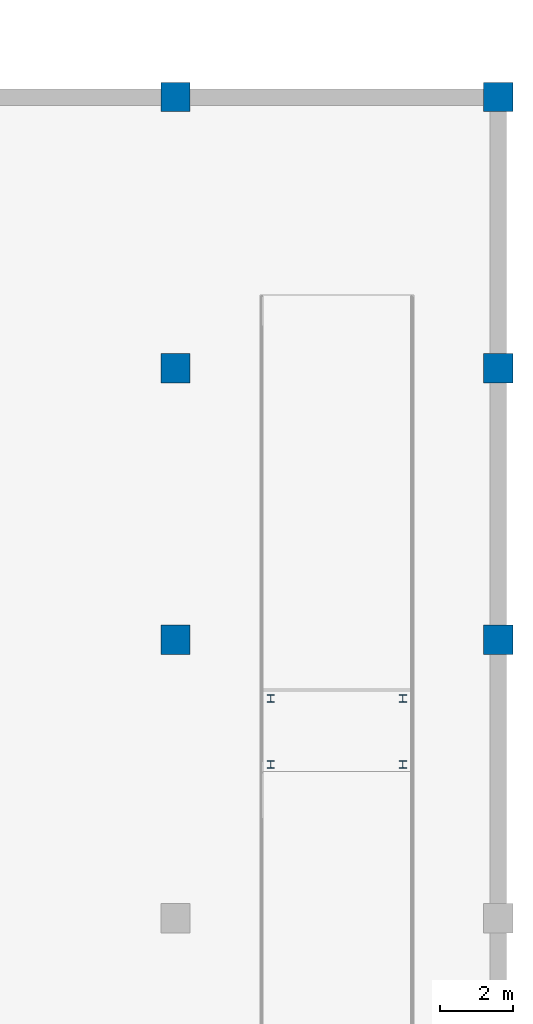
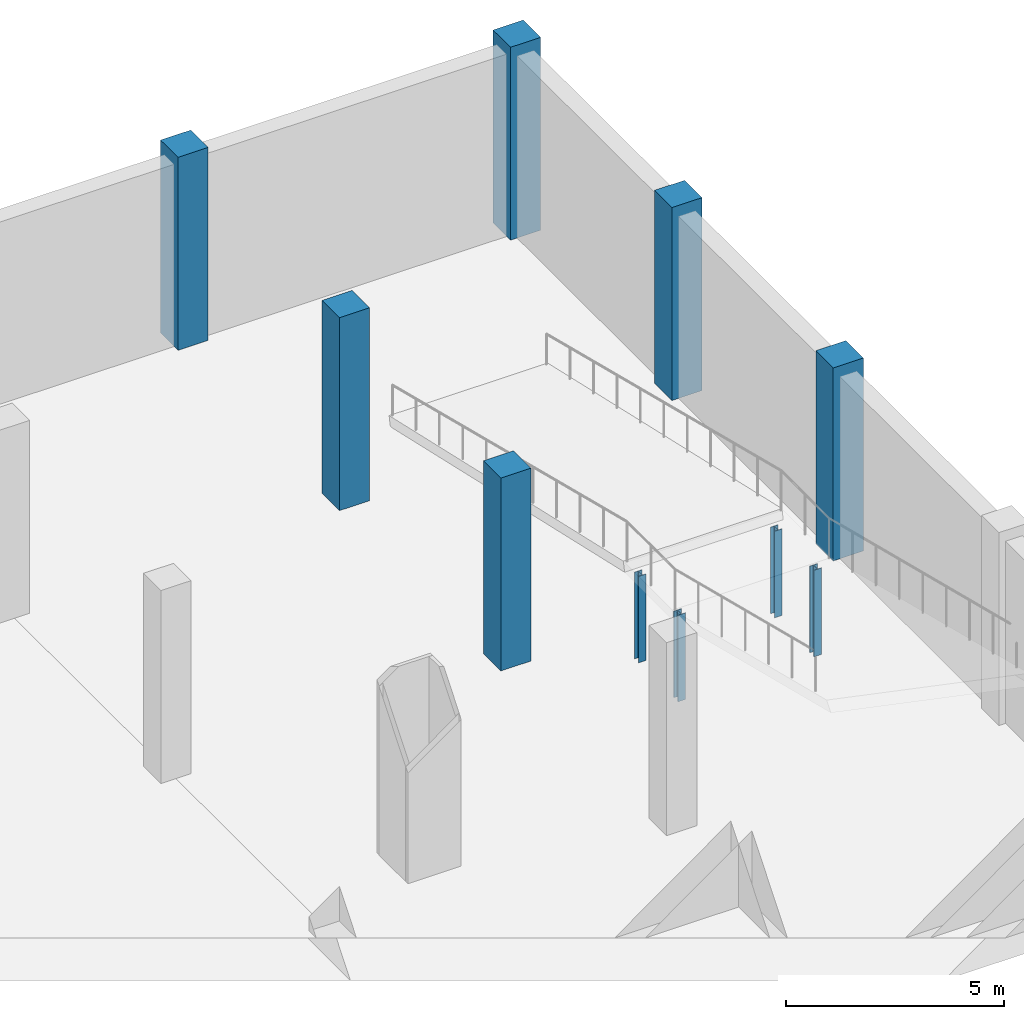
# One storey, part 8 of 20: 10 columns.
"""IFC4 building model written with IfcOpenShell, lengths in metres."""

from ifc_helpers import new_model, si_unit, direction, frame, origin, origin_2d, place, context, subcontext, project, spatial, rectangle, i_section, extrude, material, material_profile, profile_set, type_object, element, save


model = new_model("IFC4")

# Units and contexts
model_context = context("Model", 3, precision=1e-05, world=origin(), true_north=direction((0.0, 1.0)))
body_context = subcontext(model_context, "Body", "Model", "MODEL_VIEW")
ifc_project = project(units=[si_unit("LENGTHUNIT", "METRE"), si_unit("AREAUNIT", "SQUARE_METRE"), si_unit("VOLUMEUNIT", "CUBIC_METRE"), si_unit("PLANEANGLEUNIT", "RADIAN"), si_unit("MASSUNIT", "GRAM", prefix="KILO")], contexts=[model_context])

# Site, building, storey
site_placement = place(None, origin())
site = spatial("IfcSite", under=ifc_project, at=site_placement, CompositionType="ELEMENT")
building_placement = place(site_placement, origin())
building = spatial("IfcBuilding", under=site, at=building_placement, Name="Shengluoqiao Park Theatre", CompositionType="ELEMENT")
storey_placement = place(building_placement, frame((0.0, 0.0, -5.39990234375)))
storey = spatial("IfcBuildingStorey", under=building, at=storey_placement, Name="B1", CompositionType="ELEMENT", Elevation=-5.39990234375)

# Columns
ifc_material_1 = material(Name="Steel Q355", Category="steel")
ifc_material_profile_1 = material_profile(ifc_material_1, i_section(OverallWidth=0.199951171875, OverallDepth=0.199951171875, WebThickness=0.008056640625, FlangeThickness=0.011962890625, FilletRadius=0.012939453125, at=origin_2d()), Name="HW 200x200x8x12")
ifc_profile_set_1 = profile_set([ifc_material_profile_1], Name="Steel Q355")
column_type_1 = type_object("IfcColumnType", Name="STR-COL-C-HW200", PredefinedType="COLUMN", material=ifc_profile_set_1)
for number, where, z_axis, x_axis, name in (
    (1, (151.0, 95.800048828125, 0.0), (0.0, 0.0, 1.0), (1.0, 0.0, 0.0), "Vehicle Ramp Landing Column 1"),
    (2, (154.60009765625, 95.800048828125, 0.0), (0.0, 0.0, 1.0), (1.0, 0.0, 0.0), "Vehicle Ramp Landing Column 2"),
    (3, (151.0, 97.60009765625, 0.0), (0.0, 0.0, 1.0), (1.0, 0.0, 0.0), "Vehicle Ramp Landing Column 3"),
    (4, (154.60009765625, 97.60009765625, 0.0), (0.0, 0.0, 1.0), (1.0, 0.0, 0.0), "Vehicle Ramp Landing Column 4"),
):
    element("IfcColumn", number, at=place(storey_placement, frame(where, z_axis=z_axis, x_axis=x_axis)), inside=storey, type_object=column_type_1, Name=name, PredefinedType="COLUMN", context=body_context, shape_type="SweptSolid", body=[
        extrude(i_section(OverallWidth=0.199951171875, OverallDepth=0.199951171875, WebThickness=0.008056640625, FlangeThickness=0.011962890625, FilletRadius=0.012939453125, at=origin_2d()), origin(), (0.0, 0.0, 1.0), 2.419921875),
    ])
ifc_material_2 = material(Name="Concrete C50", Category="concrete")
ifc_material_profile_2 = material_profile(ifc_material_2, rectangle(XDim=0.800048828125, YDim=0.800048828125, at=origin_2d()), Name="RC 800x800")
ifc_profile_set_2 = profile_set([ifc_material_profile_2], Name="Concrete C50")
column_type_2 = type_object("IfcColumnType", Name="STR-COL-C-RC800", PredefinedType="COLUMN", material=ifc_profile_set_2)
for number, where, z_axis, x_axis, name in (
    (5, (148.39990234375, 99.199951171875, 0.0), (0.0, 0.0, 1.0), (1.0, 0.0, 0.0), "B1 Column 0751"),
    (6, (148.39990234375, 106.60009765625, 0.0), (0.0, 0.0, 1.0), (1.0, 0.0, 0.0), "B1 Column 0758"),
    (7, (148.39990234375, 114.0, 0.0), (0.0, 0.0, 1.0), (1.0, 0.0, 0.0), "B1 Column 0765"),
    (8, (157.199951171875, 99.199951171875, 0.0), (0.0, 0.0, 1.0), (1.0, 0.0, 0.0), "B1 Column 0814"),
    (9, (157.199951171875, 106.60009765625, 0.0), (0.0, 0.0, 1.0), (1.0, 0.0, 0.0), "B1 Column 0820"),
    (10, (157.199951171875, 114.0, 0.0), (0.0, 0.0, 1.0), (1.0, 0.0, 0.0), "B1 Column 0826"),
):
    element("IfcColumn", number, at=place(storey_placement, frame(where, z_axis=z_axis, x_axis=x_axis)), inside=storey, type_object=column_type_2, Name=name, PredefinedType="COLUMN", context=body_context, shape_type="SweptSolid", body=[
        extrude(rectangle(XDim=0.800048828125, YDim=0.800048828125, at=origin_2d()), origin(), (0.0, 0.0, 1.0), 5.39990234375),
    ])

save(model, "model.ifc")
